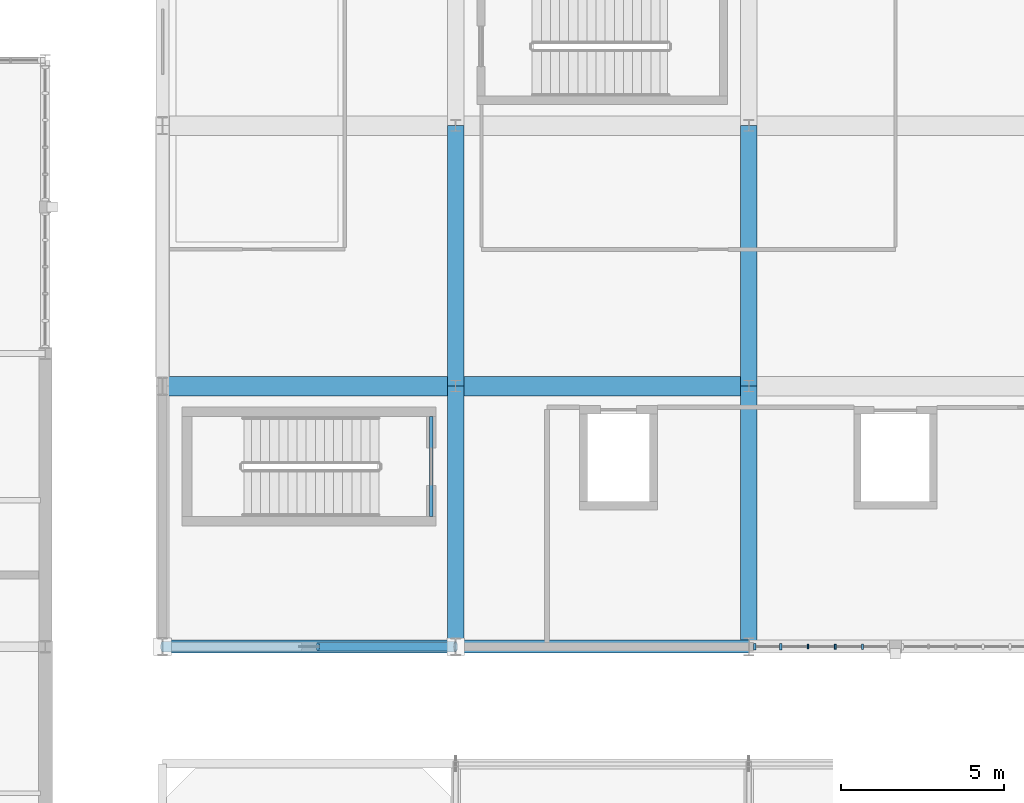
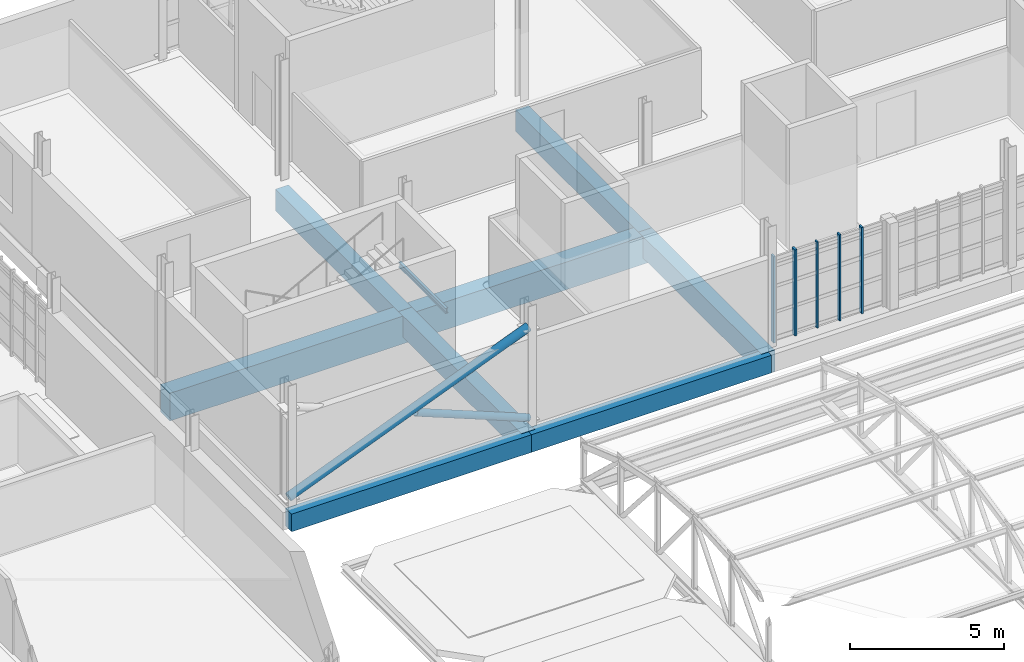
# One storey, part 17 of 128: 9 beams, 7 members, 1 element without a shape of its own.
"""IFC4 building model written with IfcOpenShell, lengths in metres."""

from ifc_helpers import new_model, si_unit, direction, frame, origin, origin_2d, place, context, subcontext, project, spatial, rectangle, hollow_circle, i_section, extrude, material, material_profile, profile_set, type_object, element, aggregate, save


model = new_model("IFC4")

# Units and contexts
model_context = context("Model", 3, precision=1e-05, world=origin(), true_north=direction((0.0, 1.0)))
body_context = subcontext(model_context, "Body", "Model", "MODEL_VIEW")
ifc_project = project(units=[si_unit("LENGTHUNIT", "METRE"), si_unit("AREAUNIT", "SQUARE_METRE"), si_unit("VOLUMEUNIT", "CUBIC_METRE"), si_unit("PLANEANGLEUNIT", "RADIAN"), si_unit("MASSUNIT", "GRAM", prefix="KILO")], contexts=[model_context])

# Site, building, storey
site_placement = place(None, origin())
site = spatial("IfcSite", under=ifc_project, at=site_placement, CompositionType="ELEMENT")
building_placement = place(site_placement, origin())
building = spatial("IfcBuilding", under=site, at=building_placement, Name="Serraforn Aerial Cableway Station", CompositionType="ELEMENT")
storey_placement = place(building_placement, frame((0.0, 0.0, 9.0)))
storey = spatial("IfcBuildingStorey", under=building, at=storey_placement, Name="L02", CompositionType="ELEMENT", Elevation=9.0)

# Beams
ifc_material_1 = material(Name="Concrete C35/45", Category="concrete")
ifc_material_profile_1 = material_profile(ifc_material_1, rectangle(XDim=0.39990234375, YDim=0.699951171875, at=origin_2d()), Name="RC 400x700")
ifc_profile_set_1 = profile_set([ifc_material_profile_1], Name="Concrete C35/45")
beam_type_1 = type_object("IfcBeamType", Name="BM-RC-400x700E", PredefinedType="SPANDREL", material=ifc_profile_set_1)
for number, where, z_axis, x_axis, name in (
    (1, (27.60009765625, 18.0, -0.7099609375), (1.0, 0.0, 0.0), (0.0, 1.0, 0.0), "Grid Girder X CV L02 Y1-1"),
    (2, (36.60009765625, 18.0, -0.7099609375), (1.0, 0.0, 0.0), (0.0, 1.0, 0.0), "Grid Girder X CV L02 Y1-2"),
):
    element("IfcBeam", number, at=place(storey_placement, frame(where, z_axis=z_axis, x_axis=x_axis)), inside=storey, type_object=beam_type_1, Name=name, PredefinedType="SPANDREL", context=body_context, shape_type="SweptSolid", body=[
        extrude(rectangle(XDim=0.39990234375, YDim=0.699951171875, at=origin_2d()), origin(), (0.0, 0.0, 1.0), 9.0),
    ])
ifc_material_profile_2 = material_profile(ifc_material_1, rectangle(XDim=0.5, YDim=0.85009765625, at=origin_2d()), Name="RC 500x850")
ifc_profile_set_2 = profile_set([ifc_material_profile_2], Name="Concrete C35/45")
beam_type_2 = type_object("IfcBeamType", Name="BM-RC-500x850", PredefinedType="USERDEFINED", material=ifc_profile_set_2)
for number, where, z_axis, x_axis, name in (
    (3, (36.60009765625, 18.0, -0.784912109375), (0.0, 1.0, 0.0), (-1.0, 0.0, 0.0), "Grid Girder Y CV L02 X2-1"),
    (4, (36.60009765625, 26.0, -0.784912109375), (0.0, 1.0, 0.0), (-1.0, 0.0, 0.0), "Grid Girder Y CV L02 X2-2"),
    (5, (45.60009765625, 18.0, -0.784912109375), (0.0, 1.0, 0.0), (-1.0, 0.0, 0.0), "Grid Girder Y CV L02 X3-1"),
    (6, (45.60009765625, 26.0, -0.784912109375), (0.0, 1.0, 0.0), (-1.0, 0.0, 0.0), "Grid Girder Y CV L02 X3-2"),
):
    element("IfcBeam", number, at=place(storey_placement, frame(where, z_axis=z_axis, x_axis=x_axis)), inside=storey, type_object=beam_type_2, Name=name, ObjectType="GIRDER", PredefinedType="USERDEFINED", context=body_context, shape_type="SweptSolid", body=[
        extrude(rectangle(XDim=0.5, YDim=0.85009765625, at=origin_2d()), origin(), (0.0, 0.0, 1.0), 8.0),
    ])
ifc_material_2 = material(Name="Concrete C40/50", Category="concrete")
ifc_material_profile_3 = material_profile(ifc_material_2, rectangle(XDim=0.60009765625, YDim=1.10009765625, at=origin_2d()), Name="RC 600x1100")
ifc_profile_set_3 = profile_set([ifc_material_profile_3], Name="Concrete C40/50")
beam_type_3 = type_object("IfcBeamType", Name="BM-RC-600x1100", PredefinedType="USERDEFINED", material=ifc_profile_set_3)
for number, where, z_axis, x_axis, name in (
    (7, (27.60009765625, 26.0, -0.909912109375), (1.0, 0.0, 0.0), (0.0, 1.0, 0.0), "Grid Girder X CV L02 Y2-1"),
    (8, (36.60009765625, 26.0, -0.909912109375), (1.0, 0.0, 0.0), (0.0, 1.0, 0.0), "Grid Girder X CV L02 Y2-2"),
):
    element("IfcBeam", number, at=place(storey_placement, frame(where, z_axis=z_axis, x_axis=x_axis)), inside=storey, type_object=beam_type_3, Name=name, ObjectType="GIRDER", PredefinedType="USERDEFINED", context=body_context, shape_type="SweptSolid", body=[
        extrude(rectangle(XDim=0.60009765625, YDim=1.10009765625, at=origin_2d()), origin(), (0.0, 0.0, 1.0), 9.0),
    ])
ifc_material_3 = material(Name="Steel S355JR", Category="steel")
ifc_material_profile_4 = material_profile(ifc_material_3, i_section(OverallWidth=0.10009765625, OverallDepth=0.199951171875, WebThickness=0.005615234375, FlangeThickness=0.008544921875, FilletRadius=0.011962890625, at=origin_2d()), Name="IPE 200")
ifc_profile_set_4 = profile_set([ifc_material_profile_4], Name="Steel S355JR")
beam_type_4 = type_object("IfcBeamType", Name="BM-ST-IPE200", PredefinedType="LINTEL", material=ifc_profile_set_4)
beam_placement = place(storey_placement, frame((35.85009765625, 25.06005859375, 2.27490234375), z_axis=(0.0, -1.0, 0.0), x_axis=(1.0, 0.0, 0.0)))
element("IfcBeam", 9, at=beam_placement, inside=storey, type_object=beam_type_4, Name="Stair Core Door Lintel D-S15", PredefinedType="LINTEL", context=body_context, shape_type="SweptSolid", body=[
    extrude(i_section(OverallWidth=0.10009765625, OverallDepth=0.199951171875, WebThickness=0.005615234375, FlangeThickness=0.008544921875, FilletRadius=0.011962890625, at=origin_2d()), origin(), (0.0, 0.0, 1.0), 3.06005859375),
])

# Curtain wall, members
ifc_material_4 = material(Name="Anodised bronze unitised curtain wall")
curtain_wall_type = type_object("IfcCurtainWallType", Name="CW-SYS-19", PredefinedType="USERDEFINED", material=ifc_material_4)
curtain_wall_placement = place(storey_placement, origin())
curtain_wall = element("IfcCurtainWall", 10, at=curtain_wall_placement, inside=storey, type_object=curtain_wall_type, Name="Unitised Curtain Wall CW-CV-L02-S3A", ObjectType="UNITISED CURTAIN WALL", PredefinedType="USERDEFINED")
ifc_material_5 = material(Name="Anodised bronze extruded aluminium", Category="aluminium")
ifc_material_profile_5 = material_profile(ifc_material_5, rectangle(XDim=0.054931640625, YDim=0.139892578125, at=origin_2d()), Name="CW MULLION 55x140")
ifc_profile_set_5 = profile_set([ifc_material_profile_5], Name="Anodised bronze extruded aluminium")
member_type_1 = type_object("IfcMemberType", Name="CW-MUL-1", PredefinedType="MULLION", material=ifc_profile_set_5)
member_1_placement = place(storey_placement, frame((47.416748046875, 18.0, 0.0), z_axis=(0.0, 0.0, 1.0), x_axis=(1.0, 0.0, 0.0)))
member_1 = element("IfcMember", 11, at=member_1_placement, type_object=member_type_1, Name="Curtain Wall Mullion CW-CV-L02-S3A-M3", PredefinedType="MULLION", context=body_context, shape_type="SweptSolid", body=[
    extrude(rectangle(XDim=0.054931640625, YDim=0.139892578125, at=origin_2d()), origin(), (0.0, 0.0, 1.0), 3.419921875),
])
ifc_material_profile_6 = material_profile(ifc_material_5, rectangle(XDim=0.06005859375, YDim=0.159912109375, at=origin_2d()), Name="CW MULLION 60x160")
ifc_profile_set_6 = profile_set([ifc_material_profile_6], Name="Anodised bronze extruded aluminium")
member_type_2 = type_object("IfcMemberType", Name="CW-MUL-2", PredefinedType="MULLION", material=ifc_profile_set_6)
member_2_placement = place(storey_placement, frame((48.251220703125, 18.0, 0.0), z_axis=(0.0, 0.0, 1.0), x_axis=(1.0, 0.0, 0.0)))
member_2 = element("IfcMember", 12, at=member_2_placement, type_object=member_type_2, Name="Curtain Wall Mullion CW-CV-L02-S3A-M4", PredefinedType="MULLION", context=body_context, shape_type="SweptSolid", body=[
    extrude(rectangle(XDim=0.06005859375, YDim=0.159912109375, at=origin_2d()), origin(), (0.0, 0.0, 1.0), 3.419921875),
])
ifc_material_profile_7 = material_profile(ifc_material_5, rectangle(XDim=0.06494140625, YDim=0.175048828125, at=origin_2d()), Name="CW MULLION 65x175")
ifc_profile_set_7 = profile_set([ifc_material_profile_7], Name="Anodised bronze extruded aluminium")
member_type_3 = type_object("IfcMemberType", Name="CW-MUL-3", PredefinedType="MULLION", material=ifc_profile_set_7)
member_3_placement = place(storey_placement, frame((49.085693359375, 18.0, 0.0), z_axis=(0.0, 0.0, 1.0), x_axis=(1.0, 0.0, 0.0)))
member_3 = element("IfcMember", 13, at=member_3_placement, type_object=member_type_3, Name="Curtain Wall Mullion CW-CV-L02-S3A-M5", PredefinedType="MULLION", context=body_context, shape_type="SweptSolid", body=[
    extrude(rectangle(XDim=0.06494140625, YDim=0.175048828125, at=origin_2d()), origin(), (0.0, 0.0, 1.0), 3.419921875),
])
ifc_material_profile_8 = material_profile(ifc_material_5, rectangle(XDim=0.070068359375, YDim=0.18994140625, at=origin_2d()), Name="CW MULLION 70x190")
ifc_profile_set_8 = profile_set([ifc_material_profile_8], Name="Anodised bronze extruded aluminium")
member_type_4 = type_object("IfcMemberType", Name="CW-MUL-4", PredefinedType="MULLION", material=ifc_profile_set_8)
member_4_placement = place(storey_placement, frame((45.782958984375, 18.0, 0.0), z_axis=(0.0, 0.0, 1.0), x_axis=(1.0, 0.0, 0.0)))
member_4 = element("IfcMember", 14, at=member_4_placement, type_object=member_type_4, Name="Curtain Wall Mullion CW-CV-L02-S3A-M1", PredefinedType="MULLION", context=body_context, shape_type="SweptSolid", body=[
    extrude(rectangle(XDim=0.070068359375, YDim=0.18994140625, at=origin_2d()), origin(), (0.0, 0.0, 1.0), 3.419921875),
])
ifc_material_profile_9 = material_profile(ifc_material_5, rectangle(XDim=0.074951171875, YDim=0.199951171875, at=origin_2d()), Name="CW MULLION 75x200")
ifc_profile_set_9 = profile_set([ifc_material_profile_9], Name="Anodised bronze extruded aluminium")
member_type_5 = type_object("IfcMemberType", Name="CW-MUL-5", PredefinedType="MULLION", material=ifc_profile_set_9)
member_5_placement = place(storey_placement, frame((46.58251953125, 18.0, 0.0), z_axis=(0.0, 0.0, 1.0), x_axis=(1.0, 0.0, 0.0)))
member_5 = element("IfcMember", 15, at=member_5_placement, type_object=member_type_5, Name="Curtain Wall Mullion CW-CV-L02-S3A-M2", PredefinedType="MULLION", context=body_context, shape_type="SweptSolid", body=[
    extrude(rectangle(XDim=0.074951171875, YDim=0.199951171875, at=origin_2d()), origin(), (0.0, 0.0, 1.0), 3.419921875),
])
aggregate(curtain_wall, [member_4, member_5, member_1, member_2, member_3])

# Members
ifc_material_6 = material(Name="Steel S355J2", Category="steel")
ifc_material_profile_10 = material_profile(ifc_material_6, hollow_circle(Radius=0.136474609375, WallThickness=0.012451171875, at=origin_2d()), Name="CHS 273.0x12.5")
ifc_profile_set_10 = profile_set([ifc_material_profile_10], Name="Steel S355J2")
member_type_6 = type_object("IfcMemberType", Name="MEM-WB-CHS273", PredefinedType="BRACE", material=ifc_profile_set_10)
member_6_placement = place(storey_placement, frame((32.3701171875, 18.0, 1.89208984375), z_axis=(0.9284656033, 0.0, -0.371418394117), x_axis=(0.0, 1.0, 0.0)))
element("IfcMember", 16, at=member_6_placement, inside=storey, type_object=member_type_6, Name="Split X-Brace Lower Segment 1-2", PredefinedType="BRACE", context=body_context, shape_type="SweptSolid", body=[
    extrude(hollow_circle(Radius=0.136474609375, WallThickness=0.012451171875, at=origin_2d()), origin(), (0.0, 0.0, 1.0), 4.555908203125),
])
ifc_material_profile_11 = material_profile(ifc_material_6, hollow_circle(Radius=0.161865234375, WallThickness=0.01611328125, at=origin_2d()), Name="CHS 323.9x16.0")
ifc_profile_set_11 = profile_set([ifc_material_profile_11], Name="Steel S355J2")
member_type_7 = type_object("IfcMemberType", Name="MEM-WB-CHS324", PredefinedType="BRACE", material=ifc_profile_set_11)
member_7_placement = place(storey_placement, frame((27.60009765625, 18.0, 0.199951171875), z_axis=(0.928473216852, 0.0, 0.37139936132), x_axis=(0.0, 1.0, 0.0)))
element("IfcMember", 17, at=member_7_placement, inside=storey, type_object=member_type_7, Name="High-Level Lateral Wind Brace 1", PredefinedType="BRACE", context=body_context, shape_type="SweptSolid", body=[
    extrude(hollow_circle(Radius=0.161865234375, WallThickness=0.01611328125, at=origin_2d()), origin(), (0.0, 0.0, 1.0), 9.693359375),
])

save(model, "model.ifc")
